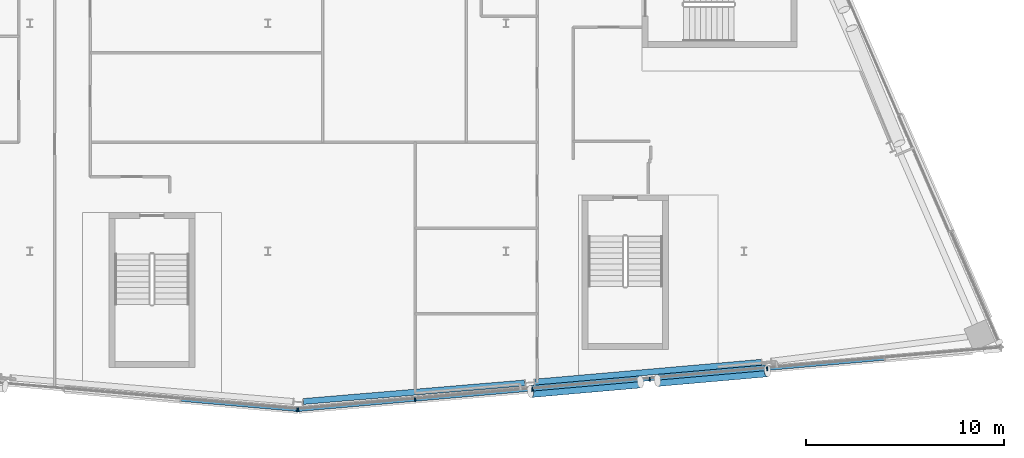
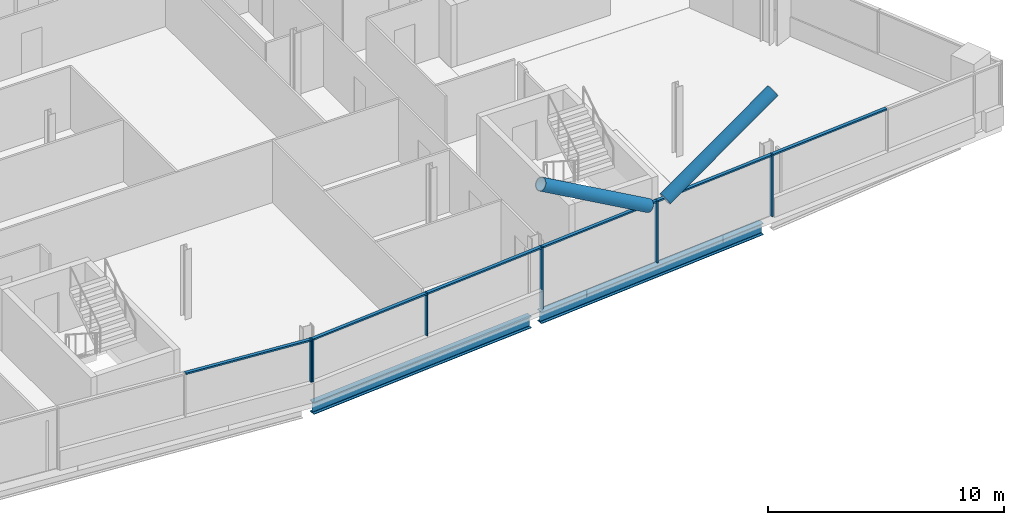
# One storey, part 8 of 27: 14 members, 2 beams, 2 elements without a shape of their own.
"""IFC4 building model written with IfcOpenShell, lengths in metres."""

from ifc_helpers import new_model, si_unit, direction, frame, origin, origin_2d, place, context, subcontext, project, spatial, rectangle, hollow_circle, i_section, extrude, material, material_profile, profile_set, type_object, element, aggregate, save


model = new_model("IFC4")

# Units and contexts
model_context = context("Model", 3, precision=1e-05, world=origin(), true_north=direction((0.0, 1.0)))
body_context = subcontext(model_context, "Body", "Model", "MODEL_VIEW")
ifc_project = project(units=[si_unit("LENGTHUNIT", "METRE"), si_unit("AREAUNIT", "SQUARE_METRE"), si_unit("VOLUMEUNIT", "CUBIC_METRE"), si_unit("PLANEANGLEUNIT", "RADIAN"), si_unit("MASSUNIT", "GRAM", prefix="KILO")], contexts=[model_context])

# Site, building, storey
site_placement = place(None, origin())
site = spatial("IfcSite", under=ifc_project, at=site_placement, CompositionType="ELEMENT")
building_placement = place(site_placement, origin())
building = spatial("IfcBuilding", under=site, at=building_placement, Name="Wharfspan Tower", CompositionType="ELEMENT")
storey_placement = place(building_placement, frame((0.0, 0.0, 228.699951)))
storey = spatial("IfcBuildingStorey", under=building, at=storey_placement, Name="L57", CompositionType="ELEMENT", Elevation=228.699951)

# Beams
ifc_material_1 = material(Name="Steel S355J2", Category="steel")
ifc_material_profile_1 = material_profile(ifc_material_1, i_section(OverallWidth=0.300049, OverallDepth=0.600098, WebThickness=0.015381, FlangeThickness=0.030029, FilletRadius=0.0271, at=origin_2d()))
ifc_profile_set_1 = profile_set([ifc_material_profile_1], Name="Steel S355J2")
beam_type = type_object("IfcBeamType", Name="Edge beam HEB 600", PredefinedType="SPANDREL", material=ifc_profile_set_1)
beam_1_placement = place(storey_placement, frame((49.783691, 3.923828, -0.699951), z_axis=(0.996517, 0.083395, 0.0), x_axis=(-0.083395, 0.996517, 0.0)))
element("IfcBeam", 1, at=beam_1_placement, inside=storey, type_object=beam_type, Name="Edge beam S2 L57 PS1.3 to PS2.1", PredefinedType="SPANDREL", context=body_context, shape_type="SweptSolid", body=[
    extrude(i_section(OverallWidth=0.300049, OverallDepth=0.600098, WebThickness=0.015381, FlangeThickness=0.030029, FilletRadius=0.0271, at=origin_2d()), origin(), (0.0, 0.0, 1.0), 11.200684),
])
beam_2_placement = place(storey_placement, frame((61.459473, 4.901855, -0.699951), z_axis=(0.996195, 0.087157, 0.0), x_axis=(-0.087157, 0.996195, 0.0)))
element("IfcBeam", 2, at=beam_2_placement, inside=storey, type_object=beam_type, Name="Edge beam S2 L57 PS2.1 to PS2.2", PredefinedType="SPANDREL", context=body_context, shape_type="SweptSolid", body=[
    extrude(i_section(OverallWidth=0.300049, OverallDepth=0.600098, WebThickness=0.015381, FlangeThickness=0.030029, FilletRadius=0.0271, at=origin_2d()), origin(), (0.0, 0.0, 1.0), 11.462402),
])

# Curtain wall, member
ifc_material_2 = material(Name="Aluminium 6063-T6", Category="aluminium")
curtain_wall_type = type_object("IfcCurtainWallType", Name="CURTAIN WALL FACETED FRONT", PredefinedType="NOTDEFINED", material=ifc_material_2)
curtain_wall_1_placement = place(storey_placement, origin())
curtain_wall_1 = element("IfcCurtainWall", 3, at=curtain_wall_1_placement, inside=storey, type_object=curtain_wall_type, Name="Curtain wall S1", PredefinedType="NOTDEFINED")
ifc_material_profile_2 = material_profile(ifc_material_2, rectangle(XDim=0.199951, YDim=0.060059, at=origin_2d()))
ifc_profile_set_2 = profile_set([ifc_material_profile_2], Name="Aluminium 6063-T6")
member_type_1 = type_object("IfcMemberType", Name="MULLION FACETED FRONT 60x200", PredefinedType="MULLION", material=ifc_profile_set_2)
member_1_placement = place(storey_placement, frame((49.470215, 3.496826, 1.0), z_axis=(0.0, 0.0, 1.0), x_axis=(0.087156, 0.996197, 0.0)))
member_1 = element("IfcMember", 4, at=member_1_placement, type_object=member_type_1, Name="Curtain wall S1 mullion 6", PredefinedType="MULLION", context=body_context, shape_type="SweptSolid", body=[
    extrude(rectangle(XDim=0.199951, YDim=0.060059, at=origin_2d()), origin(), (0.0, 0.0, 1.0), 2.199951),
])

# Curtain wall, members
curtain_wall_2_placement = place(storey_placement, origin())
curtain_wall_2 = element("IfcCurtainWall", 5, at=curtain_wall_2_placement, inside=storey, type_object=curtain_wall_type, Name="Curtain wall S2", PredefinedType="NOTDEFINED")
member_2_placement = place(storey_placement, frame((49.529785, 3.496826, 1.0), z_axis=(0.0, 0.0, 1.0), x_axis=(-0.087156, 0.996197, 0.0)))
member_2 = element("IfcMember", 6, at=member_2_placement, type_object=member_type_1, Name="Curtain wall S2 mullion 1", PredefinedType="MULLION", context=body_context, shape_type="SweptSolid", body=[
    extrude(rectangle(XDim=0.199951, YDim=0.060059, at=origin_2d()), origin(), (0.0, 0.0, 1.0), 2.199951),
])
member_3_placement = place(storey_placement, frame((55.416748, 4.011719, 1.0), z_axis=(0.0, 0.0, 1.0), x_axis=(-0.087156, 0.996197, 0.0)))
member_3 = element("IfcMember", 7, at=member_3_placement, type_object=member_type_1, Name="Curtain wall S2 mullion 2", PredefinedType="MULLION", context=body_context, shape_type="SweptSolid", body=[
    extrude(rectangle(XDim=0.199951, YDim=0.060059, at=origin_2d()), origin(), (0.0, 0.0, 1.0), 2.199951),
])
member_4_placement = place(storey_placement, frame((61.333252, 4.529541, 0.0), z_axis=(0.0, 0.0, 1.0), x_axis=(-0.087156, 0.996197, 0.0)))
member_4 = element("IfcMember", 8, at=member_4_placement, type_object=member_type_1, Name="Curtain wall S2 mullion 3", PredefinedType="MULLION", context=body_context, shape_type="SweptSolid", body=[
    extrude(rectangle(XDim=0.199951, YDim=0.060059, at=origin_2d()), origin(), (0.0, 0.0, 1.0), 3.199951),
])
member_5_placement = place(storey_placement, frame((67.25, 5.047119, 0.0), z_axis=(0.0, 0.0, 1.0), x_axis=(-0.087156, 0.996197, 0.0)))
member_5 = element("IfcMember", 9, at=member_5_placement, type_object=member_type_1, Name="Curtain wall S2 mullion 4", PredefinedType="MULLION", context=body_context, shape_type="SweptSolid", body=[
    extrude(rectangle(XDim=0.199951, YDim=0.060059, at=origin_2d()), origin(), (0.0, 0.0, 1.0), 3.199951),
])
member_6_placement = place(storey_placement, frame((73.166748, 5.564697, 0.0), z_axis=(0.0, 0.0, 1.0), x_axis=(-0.087156, 0.996197, 0.0)))
member_6 = element("IfcMember", 10, at=member_6_placement, type_object=member_type_1, Name="Curtain wall S2 mullion 5", PredefinedType="MULLION", context=body_context, shape_type="SweptSolid", body=[
    extrude(rectangle(XDim=0.199951, YDim=0.060059, at=origin_2d()), origin(), (0.0, 0.0, 1.0), 3.199951),
])

# Members
ifc_material_3 = material(Name="Steel S460NH", Category="steel")
ifc_material_profile_3 = material_profile(ifc_material_3, hollow_circle(Radius=0.304932, WallThickness=0.024902, at=origin_2d()))
ifc_profile_set_3 = profile_set([ifc_material_profile_3], Name="Steel S460NH")
member_type_2 = type_object("IfcMemberType", Name="Mega brace CHS 610x25", PredefinedType="BRACE", material=ifc_profile_set_3)
for number, where, z_axis, x_axis, name in (
    (11, (67.638428, 4.985596, 3.159424), (0.853829, 0.074698, 0.515166), (-0.087155, 0.996197, 3e-06), "Mega brace S2 L57 part 2"),
    (12, (66.778564, 4.9104, 3.159424), (-0.853829, -0.074698, 0.515166), (0.087155, -0.996197, 3e-06), "Mega brace S2 L57 part 4"),
):
    element("IfcMember", number, at=place(storey_placement, frame(where, z_axis=z_axis, x_axis=x_axis)), inside=storey, type_object=member_type_2, Name=name, PredefinedType="BRACE", context=body_context, shape_type="SweptSolid", body=[
        extrude(hollow_circle(Radius=0.304932, WallThickness=0.024902, at=origin_2d()), origin(), (0.0, 0.0, 1.0), 6.484375),
    ])

# Member
ifc_material_profile_4 = material_profile(ifc_material_2, rectangle(XDim=0.159912, YDim=0.080078, at=origin_2d()))
ifc_profile_set_4 = profile_set([ifc_material_profile_4], Name="Aluminium 6063-T6")
member_type_3 = type_object("IfcMemberType", Name="TRANSOM FACETED FRONT 80x160", PredefinedType="USERDEFINED", material=ifc_profile_set_4)
member_7_placement = place(storey_placement, frame((43.629883, 4.007812, 3.160156), z_axis=(0.996192, -0.087191, 0.0), x_axis=(0.087191, 0.996192, 0.0)))
member_7 = element("IfcMember", 13, at=member_7_placement, type_object=member_type_3, Name="Curtain wall S1 transom 5", ObjectType="TRANSOM", PredefinedType="USERDEFINED", context=body_context, shape_type="SweptSolid", body=[
    extrude(rectangle(XDim=0.159912, YDim=0.080078, at=origin_2d()), origin(), (0.0, 0.0, 1.0), 5.83252),
])

aggregate(curtain_wall_1, [member_1, member_7])

member_8_placement = place(storey_placement, frame((49.559814, 3.499268, 3.160156), z_axis=(0.996191, 0.087193, 0.0), x_axis=(-0.087193, 0.996191, 0.0)))
member_8 = element("IfcMember", 14, at=member_8_placement, type_object=member_type_3, Name="Curtain wall S2 transom 1", ObjectType="TRANSOM", PredefinedType="USERDEFINED", context=body_context, shape_type="SweptSolid", body=[
    extrude(rectangle(XDim=0.159912, YDim=0.080078, at=origin_2d()), origin(), (0.0, 0.0, 1.0), 5.849121),
])

member_9_placement = place(storey_placement, frame((55.446533, 4.014404, 3.160156), z_axis=(0.996194, 0.087162, 0.0), x_axis=(-0.087162, 0.996194, 0.0)))
member_9 = element("IfcMember", 15, at=member_9_placement, type_object=member_type_3, Name="Curtain wall S2 transom 2", ObjectType="TRANSOM", PredefinedType="USERDEFINED", context=body_context, shape_type="SweptSolid", body=[
    extrude(rectangle(XDim=0.159912, YDim=0.080078, at=origin_2d()), origin(), (0.0, 0.0, 1.0), 5.879395),
])

member_10_placement = place(storey_placement, frame((61.363281, 4.531982, 3.160156), z_axis=(0.996194, 0.087162, 0.0), x_axis=(-0.087162, 0.996194, 0.0)))
member_10 = element("IfcMember", 16, at=member_10_placement, type_object=member_type_3, Name="Curtain wall S2 transom 3", ObjectType="TRANSOM", PredefinedType="USERDEFINED", context=body_context, shape_type="SweptSolid", body=[
    extrude(rectangle(XDim=0.159912, YDim=0.080078, at=origin_2d()), origin(), (0.0, 0.0, 1.0), 5.879395),
])

member_11_placement = place(storey_placement, frame((67.279785, 5.049805, 3.160156), z_axis=(0.996198, 0.087121, 0.0), x_axis=(-0.087121, 0.996198, 0.0)))
member_11 = element("IfcMember", 17, at=member_11_placement, type_object=member_type_3, Name="Curtain wall S2 transom 4", ObjectType="TRANSOM", PredefinedType="USERDEFINED", context=body_context, shape_type="SweptSolid", body=[
    extrude(rectangle(XDim=0.159912, YDim=0.080078, at=origin_2d()), origin(), (0.0, 0.0, 1.0), 5.879395),
])

member_12_placement = place(storey_placement, frame((73.196533, 5.567383, 3.160156), z_axis=(0.996194, 0.087162, 0.0), x_axis=(-0.087162, 0.996194, 0.0)))
member_12 = element("IfcMember", 18, at=member_12_placement, type_object=member_type_3, Name="Curtain wall S2 transom 5", ObjectType="TRANSOM", PredefinedType="USERDEFINED", context=body_context, shape_type="SweptSolid", body=[
    extrude(rectangle(XDim=0.159912, YDim=0.080078, at=origin_2d()), origin(), (0.0, 0.0, 1.0), 5.879395),
])

aggregate(curtain_wall_2, [member_2, member_3, member_4, member_5, member_6, member_8, member_9, member_10, member_11, member_12])

save(model, "model.ifc")
